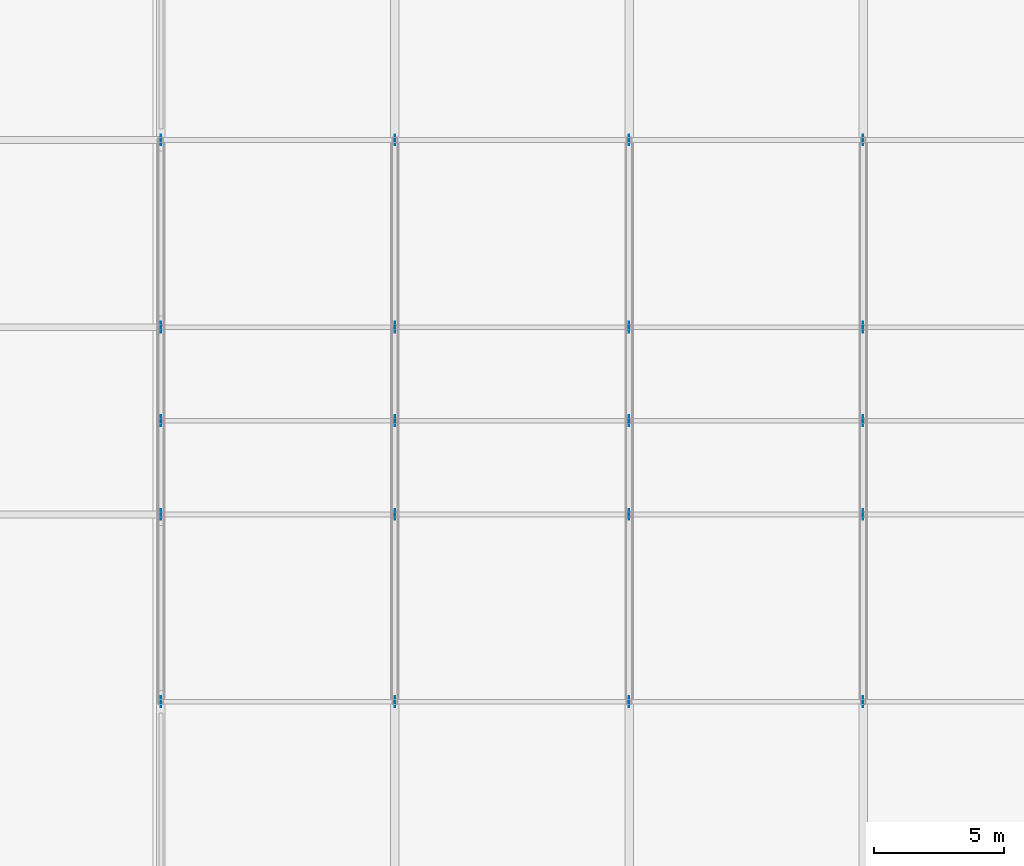
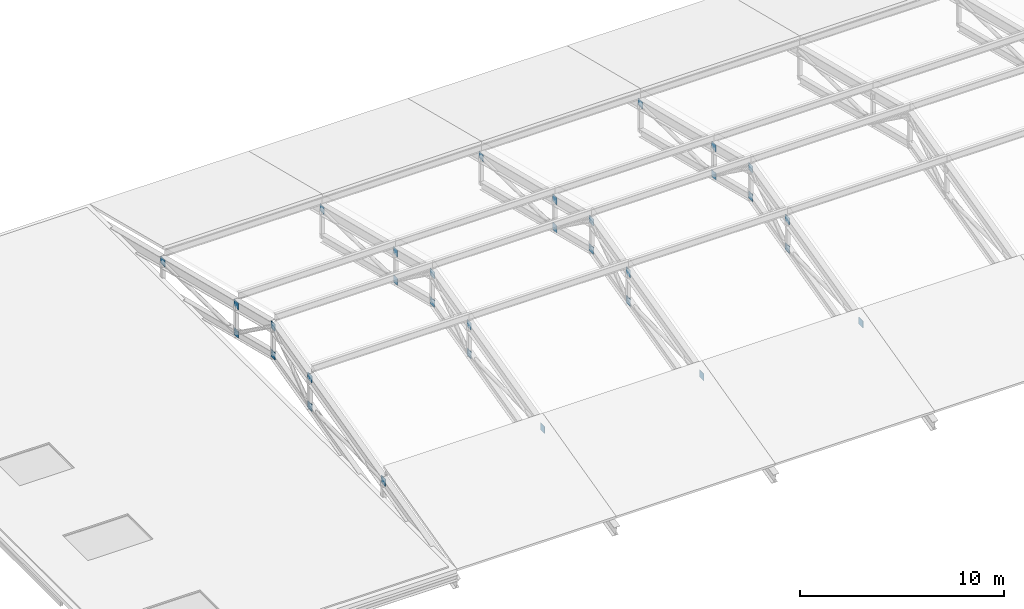
# One storey, part 89 of 124: 32 plates.
"""IFC4 building model written with IfcOpenShell, lengths in metres."""

from ifc_helpers import new_model, si_unit, direction, frame, origin, origin_2d, place, context, subcontext, project, spatial, rectangle, extrude, material, layer, layer_set, type_object, element, save


model = new_model("IFC4")

# Units and contexts
model_context = context("Model", 3, precision=1e-05, world=origin(), true_north=direction((0.0, 1.0)))
body_context = subcontext(model_context, "Body", "Model", "MODEL_VIEW")
ifc_project = project(units=[si_unit("LENGTHUNIT", "METRE"), si_unit("AREAUNIT", "SQUARE_METRE"), si_unit("VOLUMEUNIT", "CUBIC_METRE"), si_unit("PLANEANGLEUNIT", "RADIAN"), si_unit("MASSUNIT", "GRAM", prefix="KILO")], contexts=[model_context])

# Site, building, storey
site_placement = place(None, origin())
site = spatial("IfcSite", under=ifc_project, at=site_placement, CompositionType="ELEMENT")
building_placement = place(site_placement, origin())
building = spatial("IfcBuilding", under=site, at=building_placement, Name="Celestram Park Convention Centre", CompositionType="ELEMENT")
storey_placement = place(building_placement, frame((0.0, 0.0, 15.300048828125)))
storey = spatial("IfcBuildingStorey", under=building, at=storey_placement, Name="L03", CompositionType="ELEMENT", Elevation=15.300048828125)

# Plates
ifc_material = material(Name="Steel ASTM A572 Grade 50", Category="steel")
ifc_layer = layer(ifc_material, 0.02490234375)
ifc_layer_set = layer_set([ifc_layer], Name="Steel ASTM A572 Grade 50")
plate_type = type_object("IfcPlateType", Name="STR-PLT-GP25", PredefinedType="USERDEFINED", material=ifc_layer_set)
for number, where, z_axis, x_axis, name in (
    (1, (162.0, 7.199951171875, 0.697998046875), (0.0, 0.0, 1.0), (0.0, 1.0, 0.0), "V3 truss node gusset plate"),
    (2, (162.0, 14.39990234375, 2.498046875), (0.0, 0.0, 1.0), (0.0, 1.0, 0.0), "V3 truss node gusset plate"),
    (3, (162.0, 14.39990234375, 0.798095703125), (0.0, 0.0, 1.0), (0.0, 1.0, 0.0), "V3 truss node gusset plate"),
    (4, (162.0, 18.0, 3.39794921875), (0.0, 0.0, 1.0), (0.0, 1.0, 0.0), "V3 truss node gusset plate"),
    (5, (162.0, 18.0, 1.697998046875), (0.0, 0.0, 1.0), (0.0, 1.0, 0.0), "V3 truss node gusset plate"),
    (6, (162.0, 21.60009765625, 2.498046875), (0.0, 0.0, 1.0), (0.0, 1.0, 0.0), "V3 truss node gusset plate"),
    (7, (162.0, 21.60009765625, 0.798095703125), (0.0, 0.0, 1.0), (0.0, 1.0, 0.0), "V3 truss node gusset plate"),
    (8, (162.0, 28.800048828125, 0.697998046875), (0.0, 0.0, 1.0), (0.0, 1.0, 0.0), "V3 truss node gusset plate"),
    (9, (171.0, 7.199951171875, 0.697998046875), (0.0, 0.0, 1.0), (0.0, 1.0, 0.0), "V3 truss node gusset plate"),
    (10, (171.0, 14.39990234375, 2.498046875), (0.0, 0.0, 1.0), (0.0, 1.0, 0.0), "V3 truss node gusset plate"),
    (11, (171.0, 14.39990234375, 0.798095703125), (0.0, 0.0, 1.0), (0.0, 1.0, 0.0), "V3 truss node gusset plate"),
    (12, (171.0, 18.0, 3.39794921875), (0.0, 0.0, 1.0), (0.0, 1.0, 0.0), "V3 truss node gusset plate"),
    (13, (171.0, 18.0, 1.697998046875), (0.0, 0.0, 1.0), (0.0, 1.0, 0.0), "V3 truss node gusset plate"),
    (14, (171.0, 21.60009765625, 2.498046875), (0.0, 0.0, 1.0), (0.0, 1.0, 0.0), "V3 truss node gusset plate"),
    (15, (171.0, 21.60009765625, 0.798095703125), (0.0, 0.0, 1.0), (0.0, 1.0, 0.0), "V3 truss node gusset plate"),
    (16, (171.0, 28.800048828125, 0.697998046875), (0.0, 0.0, 1.0), (0.0, 1.0, 0.0), "V3 truss node gusset plate"),
    (17, (180.0, 7.199951171875, 0.697998046875), (0.0, 0.0, 1.0), (0.0, 1.0, 0.0), "V3 truss node gusset plate"),
    (18, (180.0, 14.39990234375, 2.498046875), (0.0, 0.0, 1.0), (0.0, 1.0, 0.0), "V3 truss node gusset plate"),
    (19, (180.0, 14.39990234375, 0.798095703125), (0.0, 0.0, 1.0), (0.0, 1.0, 0.0), "V3 truss node gusset plate"),
    (20, (180.0, 18.0, 3.39794921875), (0.0, 0.0, 1.0), (0.0, 1.0, 0.0), "V3 truss node gusset plate"),
    (21, (180.0, 18.0, 1.697998046875), (0.0, 0.0, 1.0), (0.0, 1.0, 0.0), "V3 truss node gusset plate"),
    (22, (180.0, 21.60009765625, 2.498046875), (0.0, 0.0, 1.0), (0.0, 1.0, 0.0), "V3 truss node gusset plate"),
    (23, (180.0, 21.60009765625, 0.798095703125), (0.0, 0.0, 1.0), (0.0, 1.0, 0.0), "V3 truss node gusset plate"),
    (24, (180.0, 28.800048828125, 0.697998046875), (0.0, 0.0, 1.0), (0.0, 1.0, 0.0), "V3 truss node gusset plate"),
    (25, (189.0, 7.199951171875, 0.697998046875), (0.0, 0.0, 1.0), (0.0, 1.0, 0.0), "V3 truss node gusset plate"),
    (26, (189.0, 14.39990234375, 2.498046875), (0.0, 0.0, 1.0), (0.0, 1.0, 0.0), "V3 truss node gusset plate"),
    (27, (189.0, 14.39990234375, 0.798095703125), (0.0, 0.0, 1.0), (0.0, 1.0, 0.0), "V3 truss node gusset plate"),
    (28, (189.0, 18.0, 3.39794921875), (0.0, 0.0, 1.0), (0.0, 1.0, 0.0), "V3 truss node gusset plate"),
    (29, (189.0, 18.0, 1.697998046875), (0.0, 0.0, 1.0), (0.0, 1.0, 0.0), "V3 truss node gusset plate"),
    (30, (189.0, 21.60009765625, 2.498046875), (0.0, 0.0, 1.0), (0.0, 1.0, 0.0), "V3 truss node gusset plate"),
    (31, (189.0, 21.60009765625, 0.798095703125), (0.0, 0.0, 1.0), (0.0, 1.0, 0.0), "V3 truss node gusset plate"),
    (32, (189.0, 28.800048828125, 0.697998046875), (0.0, 0.0, 1.0), (0.0, 1.0, 0.0), "V3 truss node gusset plate"),
):
    element("IfcPlate", number, at=place(storey_placement, frame(where, z_axis=z_axis, x_axis=x_axis)), inside=storey, type_object=plate_type, Name=name, ObjectType="GUSSET_PLATE", PredefinedType="USERDEFINED", context=body_context, shape_type="SweptSolid", body=[
        extrude(rectangle(XDim=0.419921875, YDim=0.02490234375, at=origin_2d()), origin(), (0.0, 0.0, 1.0), 0.419921875),
    ])

save(model, "model.ifc")
